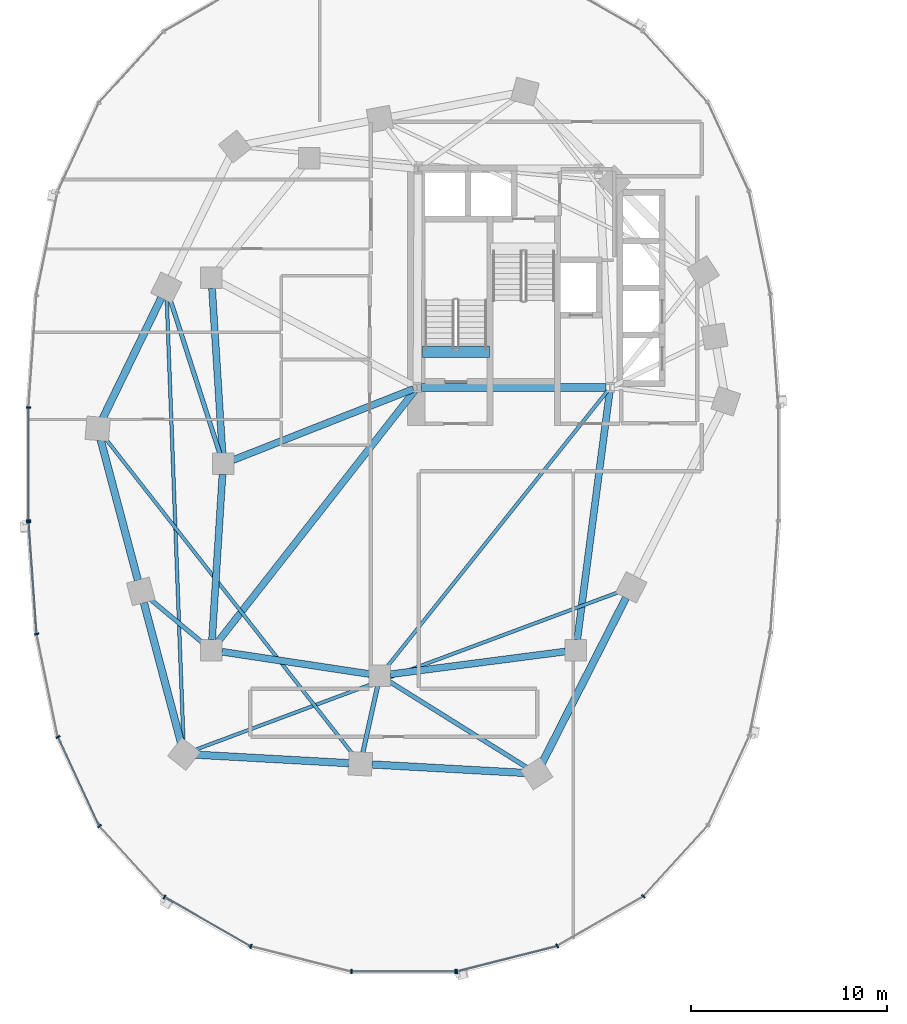
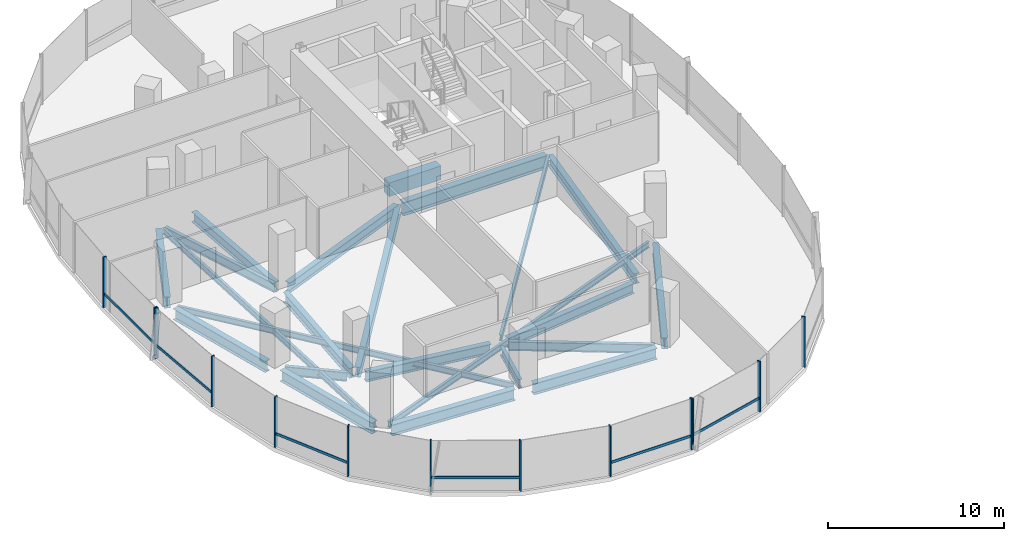
# One storey, part 2 of 21: 23 beams, 19 members, 3 elements without a shape of their own.
"""IFC4 building model written with IfcOpenShell, lengths in metres."""

from ifc_helpers import new_model, si_unit, direction, frame, origin, origin_2d, place, context, subcontext, project, spatial, rectangle, i_section, extrude, material, material_profile, profile_set, type_object, element, aggregate, save


model = new_model("IFC4")

# Units and contexts
model_context = context("Model", 3, precision=1e-05, world=origin(), true_north=direction((0.0, 1.0)))
body_context = subcontext(model_context, "Body", "Model", "MODEL_VIEW")
ifc_project = project(units=[si_unit("LENGTHUNIT", "METRE"), si_unit("AREAUNIT", "SQUARE_METRE"), si_unit("VOLUMEUNIT", "CUBIC_METRE"), si_unit("PLANEANGLEUNIT", "RADIAN"), si_unit("MASSUNIT", "GRAM", prefix="KILO"), si_unit("THERMODYNAMICTEMPERATUREUNIT", "KELVIN"), si_unit("POWERUNIT", "WATT")], contexts=[model_context])

# Site, building, storey
site_placement = place(None, origin())
site = spatial("IfcSite", under=ifc_project, at=site_placement, CompositionType="ELEMENT")
building_placement = place(site_placement, origin())
building = spatial("IfcBuilding", under=site, at=building_placement, Name="Cundina Bronze Exchange", CompositionType="ELEMENT")
storey_placement = place(building_placement, frame((0.0, 0.0, 31.60009765625)))
storey = spatial("IfcBuildingStorey", under=building, at=storey_placement, Name="L07", CompositionType="ELEMENT", Elevation=31.60009765625)

# Beams
ifc_material_1 = material(Name="Concrete C60/75", Category="concrete")
ifc_material_profile_1 = material_profile(ifc_material_1, rectangle(XDim=0.60009765625, YDim=0.949951171875, at=origin_2d()), Name="RC600X950", Category="concrete")
ifc_profile_set_1 = profile_set([ifc_material_profile_1], Name="Concrete C60/75")
beam_type_1 = type_object("IfcBeamType", Name="BM-COUP-RC950", PredefinedType="LINTEL", material=ifc_profile_set_1)
beam_1_placement = place(storey_placement, frame((-31.02001953125, 5.719970703125, -0.47509765625), z_axis=(1.0, 0.0, 0.0), x_axis=(0.0, 1.0, 0.0)))
element("IfcBeam", 1, at=beam_1_placement, inside=storey, type_object=beam_type_1, Name="L07 Stair W1 Landing Header Beam", PredefinedType="LINTEL", context=body_context, shape_type="SweptSolid", body=[
    extrude(rectangle(XDim=0.60009765625, YDim=0.949951171875, at=origin_2d()), origin(), (0.0, 0.0, 1.0), 3.39990234375),
])
ifc_material_2 = material(Name="Steel ASTM A992 Grade 50", Category="steel")
ifc_material_profile_2 = material_profile(ifc_material_2, i_section(OverallWidth=0.22998046875, OverallDepth=0.616943359375, WebThickness=0.01318359375, FlangeThickness=0.022216796875, FilletRadius=0.013916015625, at=origin_2d()), Name="W24X94", Category="steel")
ifc_profile_set_2 = profile_set([ifc_material_profile_2], Name="Steel ASTM A992 Grade 50")
beam_type_2 = type_object("IfcBeamType", Name="BM-FLR-W24B", PredefinedType="BEAM", material=ifc_profile_set_2)
beam_2_placement = place(storey_placement, frame((-41.364990234375, 0.51220703125, -0.608642578125), z_axis=(-0.306706454167, 0.951804155787, 0.0), x_axis=(-0.951804155787, -0.306706454167, 0.0)))
element("IfcBeam", 2, at=beam_2_placement, inside=storey, type_object=beam_type_2, Name="L07 Leg W Radial Floor Beam 07", PredefinedType="BEAM", context=body_context, shape_type="SweptSolid", body=[
    extrude(i_section(OverallWidth=0.22998046875, OverallDepth=0.616943359375, WebThickness=0.01318359375, FlangeThickness=0.022216796875, FilletRadius=0.013916015625, at=origin_2d()), origin(), (0.0, 0.0, 1.0), 8.329345703125),
])
beam_3_placement = place(storey_placement, frame((-42.21337890625, -9.155517578125, -0.608642578125), z_axis=(-0.768221279597, 0.640184399664, 0.0), x_axis=(-0.640184399664, -0.768221279597, 0.0)))
element("IfcBeam", 3, at=beam_3_placement, inside=storey, type_object=beam_type_2, Name="L07 Leg W Radial Floor Beam 09", PredefinedType="BEAM", context=body_context, shape_type="SweptSolid", body=[
    extrude(i_section(OverallWidth=0.22998046875, OverallDepth=0.616943359375, WebThickness=0.01318359375, FlangeThickness=0.022216796875, FilletRadius=0.013916015625, at=origin_2d()), origin(), (0.0, 0.0, 1.0), 3.56005859375),
])
beam_4_placement = place(storey_placement, frame((-33.316650390625, -11.3251953125, -0.608642578125), z_axis=(-0.216960137628, -0.976180464197, 0.0), x_axis=(0.976180464197, -0.216960137628, 0.0)))
element("IfcBeam", 4, at=beam_4_placement, inside=storey, type_object=beam_type_2, Name="L07 Leg W Radial Floor Beam 11", PredefinedType="BEAM", context=body_context, shape_type="SweptSolid", body=[
    extrude(i_section(OverallWidth=0.22998046875, OverallDepth=0.616943359375, WebThickness=0.01318359375, FlangeThickness=0.022216796875, FilletRadius=0.013916015625, at=origin_2d()), origin(), (0.0, 0.0, 1.0), 3.48388671875),
])
beam_5_placement = place(storey_placement, frame((-32.743896484375, -11.085205078125, -0.608642578125), z_axis=(0.848014812458, -0.529972525563, 0.0), x_axis=(0.529972525563, 0.848014812458, 0.0)))
element("IfcBeam", 5, at=beam_5_placement, inside=storey, type_object=beam_type_2, Name="L07 Leg W Radial Floor Beam 12", PredefinedType="BEAM", context=body_context, shape_type="SweptSolid", body=[
    extrude(i_section(OverallWidth=0.22998046875, OverallDepth=0.616943359375, WebThickness=0.01318359375, FlangeThickness=0.022216796875, FilletRadius=0.013916015625, at=origin_2d()), origin(), (0.0, 0.0, 1.0), 8.30810546875),
])
ifc_material_profile_3 = material_profile(ifc_material_2, i_section(OverallWidth=0.178955078125, OverallDepth=0.409912109375, WebThickness=0.0087890625, FlangeThickness=0.014404296875, FilletRadius=0.010986328125, at=origin_2d()), Name="W16X45", Category="steel")
ifc_profile_set_3 = profile_set([ifc_material_profile_3], Name="Steel ASTM A992 Grade 50")
beam_type_3 = type_object("IfcBeamType", Name="BM-JST-W16", PredefinedType="JOIST", material=ifc_profile_set_3)
beam_6_placement = place(storey_placement, frame((-21.577392578125, 3.740478515625, -0.505126953125), z_axis=(-0.62436887964, -0.781129632095, 0.0), x_axis=(0.781129632095, -0.62436887964, 0.0)))
element("IfcBeam", 6, at=beam_6_placement, inside=storey, type_object=beam_type_3, Name="L07 W Interior Core-to-Ring Joist 2", PredefinedType="JOIST", context=body_context, shape_type="SweptSolid", body=[
    extrude(i_section(OverallWidth=0.178955078125, OverallDepth=0.409912109375, WebThickness=0.0087890625, FlangeThickness=0.014404296875, FilletRadius=0.010986328125, at=origin_2d()), origin(), (0.0, 0.0, 1.0), 18.076904296875),
])
beam_7_placement = place(storey_placement, frame((-44.077880859375, 8.412353515625, -0.505126953125), z_axis=(0.037794949147, -0.999285515666, 0.0), x_axis=(0.999285515666, 0.037794949147, 0.0)))
element("IfcBeam", 7, at=beam_7_placement, inside=storey, type_object=beam_type_3, Name="L07 Leg W Lobe Floor Joist 07-10", PredefinedType="JOIST", context=body_context, shape_type="SweptSolid", body=[
    extrude(i_section(OverallWidth=0.178955078125, OverallDepth=0.409912109375, WebThickness=0.0087890625, FlangeThickness=0.014404296875, FilletRadius=0.010986328125, at=origin_2d()), origin(), (0.0, 0.0, 1.0), 22.640869140625),
])
beam_8_placement = place(storey_placement, frame((-47.2373046875, 1.337158203125, -0.505126953125), z_axis=(0.616803089524, -0.787117493614, 0.0), x_axis=(0.787117493614, 0.616803089524, 0.0)))
element("IfcBeam", 8, at=beam_8_placement, inside=storey, type_object=beam_type_3, Name="L07 Leg W Lobe Floor Joist 08-11", PredefinedType="JOIST", context=body_context, shape_type="SweptSolid", body=[
    extrude(i_section(OverallWidth=0.178955078125, OverallDepth=0.409912109375, WebThickness=0.0087890625, FlangeThickness=0.014404296875, FilletRadius=0.010986328125, at=origin_2d()), origin(), (0.0, 0.0, 1.0), 20.548828125),
])
beam_9_placement = place(storey_placement, frame((-42.64892578125, -14.5947265625, -0.505126953125), z_axis=(0.937127912449, 0.348986068074, 0.0), x_axis=(-0.348986068074, 0.937127912449, 0.0)))
element("IfcBeam", 9, at=beam_9_placement, inside=storey, type_object=beam_type_3, Name="L07 Leg W Lobe Floor Joist 10-13", PredefinedType="JOIST", context=body_context, shape_type="SweptSolid", body=[
    extrude(i_section(OverallWidth=0.178955078125, OverallDepth=0.409912109375, WebThickness=0.0087890625, FlangeThickness=0.014404296875, FilletRadius=0.010986328125, at=origin_2d()), origin(), (0.0, 0.0, 1.0), 23.18017578125),
])
ifc_material_profile_4 = material_profile(ifc_material_2, i_section(OverallWidth=0.35498046875, OverallDepth=0.695068359375, WebThickness=0.015380859375, FlangeThickness=0.02490234375, FilletRadius=0.01806640625, at=origin_2d()), Name="W27X146", Category="steel")
ifc_profile_set_4 = profile_set([ifc_material_profile_4], Name="Steel ASTM A992 Grade 50")
beam_type_4 = type_object("IfcBeamType", Name="BM-RING-W27", PredefinedType="USERDEFINED", material=ifc_profile_set_4)
for number, where, z_axis, x_axis, name in (
    (10, (-41.76611328125, 8.963134765625, -0.647705078125), (0.06303715519, -0.998011180832, 0.0), (0.998011180832, 0.06303715519, 0.0), "L07 W Inner Structural Ring Girder 03"),
    (11, (-41.23388671875, -0.536865234375, -0.647705078125), (-0.06303715519, -0.998011180832, 0.0), (0.998011180832, -0.06303715519, 0.0), "L07 W Inner Structural Ring Girder 04"),
):
    element("IfcBeam", number, at=place(storey_placement, frame(where, z_axis=z_axis, x_axis=x_axis)), inside=storey, type_object=beam_type_4, Name=name, ObjectType="GIRDER", PredefinedType="USERDEFINED", context=body_context, shape_type="SweptSolid", body=[
        extrude(i_section(OverallWidth=0.35498046875, OverallDepth=0.695068359375, WebThickness=0.015380859375, FlangeThickness=0.02490234375, FilletRadius=0.01806640625, at=origin_2d()), origin(), (0.0, 0.0, 1.0), 8.443115234375),
    ])
beam_10_placement = place(storey_placement, frame((-41.26806640625, -9.580322265625, -0.647705078125), z_axis=(0.988767489563, -0.149461873341, 0.0), x_axis=(0.149461873341, 0.988767489563, 0.0)))
element("IfcBeam", 12, at=beam_10_placement, inside=storey, type_object=beam_type_4, Name="L07 W Inner Structural Ring Girder 05", ObjectType="GIRDER", PredefinedType="USERDEFINED", context=body_context, shape_type="SweptSolid", body=[
    extrude(i_section(OverallWidth=0.35498046875, OverallDepth=0.695068359375, WebThickness=0.015380859375, FlangeThickness=0.02490234375, FilletRadius=0.01806640625, at=origin_2d()), origin(), (0.0, 0.0, 1.0), 7.621826171875),
])
beam_11_placement = place(storey_placement, frame((-32.66650390625, -10.730712890625, -0.647705078125), z_axis=(0.991654577907, 0.128923225666, 0.0), x_axis=(-0.128923225666, 0.991654577907, 0.0)))
element("IfcBeam", 13, at=beam_11_placement, inside=storey, type_object=beam_type_4, Name="L07 W Inner Structural Ring Girder 06", ObjectType="GIRDER", PredefinedType="USERDEFINED", context=body_context, shape_type="SweptSolid", body=[
    extrude(i_section(OverallWidth=0.35498046875, OverallDepth=0.695068359375, WebThickness=0.015380859375, FlangeThickness=0.02490234375, FilletRadius=0.01806640625, at=origin_2d()), origin(), (0.0, 0.0, 1.0), 9.00830078125),
])
beam_12_placement = place(storey_placement, frame((-23.13037109375, -8.966552734375, -0.647705078125), z_axis=(0.129507526533, 0.99157843894, 0.0), x_axis=(-0.99157843894, 0.129507526533, 0.0)))
element("IfcBeam", 14, at=beam_12_placement, inside=storey, type_object=beam_type_4, Name="L07 W Inner Structural Ring Girder 07", ObjectType="GIRDER", PredefinedType="USERDEFINED", context=body_context, shape_type="SweptSolid", body=[
    extrude(i_section(OverallWidth=0.35498046875, OverallDepth=0.695068359375, WebThickness=0.015380859375, FlangeThickness=0.02490234375, FilletRadius=0.01806640625, at=origin_2d()), origin(), (0.0, 0.0, 1.0), 12.77197265625),
])
beam_13_placement = place(storey_placement, frame((-31.48974609375, 3.8251953125, -0.647705078125), z_axis=(-0.930413235418, -0.366512225388, 0.0), x_axis=(0.366512225388, -0.930413235418, 0.0)))
element("IfcBeam", 15, at=beam_13_placement, inside=storey, type_object=beam_type_4, Name="L07 W Core-to-Waist Tie Beam 1", ObjectType="GIRDER", PredefinedType="USERDEFINED", context=body_context, shape_type="SweptSolid", body=[
    extrude(i_section(OverallWidth=0.35498046875, OverallDepth=0.695068359375, WebThickness=0.015380859375, FlangeThickness=0.02490234375, FilletRadius=0.01806640625, at=origin_2d()), origin(), (0.0, 0.0, 1.0), 9.8984375),
])
beam_14_placement = place(storey_placement, frame((-31.42578125, 3.739501953125, -0.647705078125), z_axis=(-0.616789275748, -0.787128318206, 0.0), x_axis=(0.787128318206, -0.616789275748, 0.0)))
element("IfcBeam", 16, at=beam_14_placement, inside=storey, type_object=beam_type_4, Name="L07 W Core-to-Waist Tie Beam 3", ObjectType="GIRDER", PredefinedType="USERDEFINED", context=body_context, shape_type="SweptSolid", body=[
    extrude(i_section(OverallWidth=0.35498046875, OverallDepth=0.695068359375, WebThickness=0.015380859375, FlangeThickness=0.02490234375, FilletRadius=0.01806640625, at=origin_2d()), origin(), (0.0, 0.0, 1.0), 16.281982421875),
])
ifc_material_profile_5 = material_profile(ifc_material_2, i_section(OverallWidth=0.381103515625, OverallDepth=0.77294921875, WebThickness=0.0166015625, FlangeThickness=0.027099609375, FilletRadius=0.01904296875, at=origin_2d()), Name="W30X173", Category="steel")
ifc_profile_set_5 = profile_set([ifc_material_profile_5], Name="Steel ASTM A992 Grade 50")
beam_type_5 = type_object("IfcBeamType", Name="BM-RING-W30", PredefinedType="USERDEFINED", material=ifc_profile_set_5)
beam_15_placement = place(storey_placement, frame((-44.357177734375, 8.47119140625, -0.6865234375), z_axis=(-0.437190698904, -0.899368830231, 0.0), x_axis=(0.899368830231, -0.437190698904, 0.0)))
element("IfcBeam", 17, at=beam_15_placement, inside=storey, type_object=beam_type_5, Name="L07 W Perimeter Ring Girder 07", ObjectType="GIRDER", PredefinedType="USERDEFINED", context=body_context, shape_type="SweptSolid", body=[
    extrude(i_section(OverallWidth=0.381103515625, OverallDepth=0.77294921875, WebThickness=0.0166015625, FlangeThickness=0.027099609375, FilletRadius=0.01904296875, at=origin_2d()), origin(), (0.0, 0.0, 1.0), 6.82958984375),
])
for number, where, z_axis, x_axis, name in (
    (18, (-47.44921875, 1.231689453125, -0.6865234375), (0.256177785604, -0.966629682021, 0.0), (0.966629682021, 0.256177785604, 0.0), "L07 W Perimeter Ring Girder 08"),
    (19, (-45.249267578125, -7.068359375, -0.6865234375), (0.256208567826, -0.966621523541, 0.0), (0.966621523541, 0.256208567826, 0.0), "L07 W Perimeter Ring Girder 09"),
):
    element("IfcBeam", number, at=place(storey_placement, frame(where, z_axis=z_axis, x_axis=x_axis)), inside=storey, type_object=beam_type_5, Name=name, ObjectType="GIRDER", PredefinedType="USERDEFINED", context=body_context, shape_type="SweptSolid", body=[
        extrude(i_section(OverallWidth=0.381103515625, OverallDepth=0.77294921875, WebThickness=0.0166015625, FlangeThickness=0.027099609375, FilletRadius=0.01904296875, at=origin_2d()), origin(), (0.0, 0.0, 1.0), 7.41064453125),
    ])
for number, where, z_axis, x_axis, name in (
    (20, (-42.61279296875, -14.83251953125, -0.6865234375), (0.998459969805, -0.055476920391, 0.0), (0.055476920391, 0.998459969805, 0.0), "L07 W Perimeter Ring Girder 10"),
    (21, (-33.61279296875, -15.33251953125, -0.6865234375), (0.998459969805, -0.055476920391, 0.0), (0.055476920391, 0.998459969805, 0.0), "L07 W Perimeter Ring Girder 11"),
):
    element("IfcBeam", number, at=place(storey_placement, frame(where, z_axis=z_axis, x_axis=x_axis)), inside=storey, type_object=beam_type_5, Name=name, ObjectType="GIRDER", PredefinedType="USERDEFINED", context=body_context, shape_type="SweptSolid", body=[
        extrude(i_section(OverallWidth=0.381103515625, OverallDepth=0.77294921875, WebThickness=0.0166015625, FlangeThickness=0.027099609375, FilletRadius=0.01904296875, at=origin_2d()), origin(), (0.0, 0.0, 1.0), 7.837646484375),
    ])
beam_16_placement = place(storey_placement, frame((-24.93359375, -15.275634765625, -0.6865234375), z_axis=(0.452819633606, 0.891602141889, 0.0), x_axis=(-0.891602141889, 0.452819633606, 0.0)))
element("IfcBeam", 22, at=beam_16_placement, inside=storey, type_object=beam_type_5, Name="L07 W Perimeter Ring Girder 12", ObjectType="GIRDER", PredefinedType="USERDEFINED", context=body_context, shape_type="SweptSolid", body=[
    extrude(i_section(OverallWidth=0.381103515625, OverallDepth=0.77294921875, WebThickness=0.0166015625, FlangeThickness=0.027099609375, FilletRadius=0.01904296875, at=origin_2d()), origin(), (0.0, 0.0, 1.0), 9.47900390625),
])
ifc_material_profile_6 = material_profile(ifc_material_2, i_section(OverallWidth=0.41796875, OverallDepth=0.927001953125, WebThickness=0.019287109375, FlangeThickness=0.031982421875, FilletRadius=0.02392578125, at=origin_2d()), Name="W36X231", Category="steel")
ifc_profile_set_6 = profile_set([ifc_material_profile_6], Name="Steel ASTM A992 Grade 50")
beam_type_6 = type_object("IfcBeamType", Name="BM-WRN-W36B", PredefinedType="USERDEFINED", material=ifc_profile_set_6)
beam_17_placement = place(storey_placement, frame((-31.095947265625, 3.89990234375, -0.763671875), z_axis=(1.0, 0.0, 0.0), x_axis=(0.0, 1.0, 0.0)))
element("IfcBeam", 23, at=beam_17_placement, inside=storey, type_object=beam_type_6, Name="L07 W Core Perimeter Tie Girder 1", ObjectType="GIRDER", PredefinedType="USERDEFINED", context=body_context, shape_type="SweptSolid", body=[
    extrude(i_section(OverallWidth=0.41796875, OverallDepth=0.927001953125, WebThickness=0.019287109375, FlangeThickness=0.031982421875, FilletRadius=0.02392578125, at=origin_2d()), origin(), (0.0, 0.0, 1.0), 9.44189453125),
])

# Curtain wall, members
ifc_material_3 = material(Name="Anodised Bronze Aluminium 6063-T6", Category="aluminium")
curtain_wall_type = type_object("IfcCurtainWallType", Name="CWS-TRD-LOW", PredefinedType="NOTDEFINED", material=ifc_material_3)
curtain_wall_1_placement = place(storey_placement, origin())
curtain_wall_1 = element("IfcCurtainWall", 24, at=curtain_wall_1_placement, inside=storey, type_object=curtain_wall_type, Name="L07 CW-02 Curtain Wall Run CWR-L07-W2", PredefinedType="NOTDEFINED")
ifc_material_profile_7 = material_profile(ifc_material_3, rectangle(XDim=0.074951171875, YDim=0.219970703125, at=origin_2d()), Name="AL75X220", Category="aluminium")
ifc_profile_set_7 = profile_set([ifc_material_profile_7], Name="Anodised Bronze Aluminium 6063-T6")
member_type_1 = type_object("IfcMemberType", Name="CWM-MUL-220", PredefinedType="MULLION", material=ifc_profile_set_7)
member_1_placement = place(storey_placement, frame((-51.1279296875, 2.880615234375, 0.0), z_axis=(0.0, 0.0, 1.0), x_axis=(0.0, -1.0, 0.0)))
member_1 = element("IfcMember", 25, at=member_1_placement, type_object=member_type_1, Name="CW-02 Mullion 7", PredefinedType="MULLION", context=body_context, shape_type="SweptSolid", body=[
    extrude(rectangle(XDim=0.074951171875, YDim=0.219970703125, at=origin_2d()), origin(), (0.0, 0.0, 1.0), 3.5),
])
member_2_placement = place(storey_placement, frame((-51.1279296875, -2.880615234375, 0.0), z_axis=(0.0, 0.0, 1.0), x_axis=(0.0, -1.0, 0.0)))
member_2 = element("IfcMember", 26, at=member_2_placement, type_object=member_type_1, Name="CW-02 End Mullion", PredefinedType="MULLION", context=body_context, shape_type="SweptSolid", body=[
    extrude(rectangle(XDim=0.074951171875, YDim=0.219970703125, at=origin_2d()), origin(), (0.0, 0.0, 1.0), 3.5),
])

curtain_wall_2_placement = place(storey_placement, origin())
curtain_wall_2 = element("IfcCurtainWall", 27, at=curtain_wall_2_placement, inside=storey, type_object=curtain_wall_type, Name="L07 CW-02 Curtain Wall Run CWR-L07-W3", PredefinedType="NOTDEFINED")
member_3_placement = place(storey_placement, frame((-51.12451171875, -2.976318359375, 0.0), z_axis=(0.0, 0.0, 1.0), x_axis=(0.070278787473, -0.997527389113, 0.0)))
member_3 = element("IfcMember", 28, at=member_3_placement, type_object=member_type_1, Name="CW-02 Mullion 1", PredefinedType="MULLION", context=body_context, shape_type="SweptSolid", body=[
    extrude(rectangle(XDim=0.074951171875, YDim=0.219970703125, at=origin_2d()), origin(), (0.0, 0.0, 1.0), 3.5),
])
member_4_placement = place(storey_placement, frame((-50.717041015625, -8.67822265625, 0.0), z_axis=(0.0, 0.0, 1.0), x_axis=(0.201419845156, -0.979505000486, 0.0)))
member_4 = element("IfcMember", 29, at=member_4_placement, type_object=member_type_1, Name="CW-02 Mullion 2", PredefinedType="MULLION", context=body_context, shape_type="SweptSolid", body=[
    extrude(rectangle(XDim=0.074951171875, YDim=0.219970703125, at=origin_2d()), origin(), (0.0, 0.0, 1.0), 3.5),
])
member_5_placement = place(storey_placement, frame((-49.6279296875, -13.931884765625, 0.0), z_axis=(0.0, 0.0, 1.0), x_axis=(0.42087749791, -0.907117485088, 0.0)))
member_5 = element("IfcMember", 30, at=member_5_placement, type_object=member_type_1, Name="CW-02 Mullion 3", PredefinedType="MULLION", context=body_context, shape_type="SweptSolid", body=[
    extrude(rectangle(XDim=0.074951171875, YDim=0.219970703125, at=origin_2d()), origin(), (0.0, 0.0, 1.0), 3.5),
])
member_6_placement = place(storey_placement, frame((-47.508544921875, -18.47705078125, 0.0), z_axis=(0.0, 0.0, 1.0), x_axis=(0.674302387584, -0.738455340626, 0.0)))
member_6 = element("IfcMember", 31, at=member_6_placement, type_object=member_type_1, Name="CW-02 Mullion 4", PredefinedType="MULLION", context=body_context, shape_type="SweptSolid", body=[
    extrude(rectangle(XDim=0.074951171875, YDim=0.219970703125, at=origin_2d()), origin(), (0.0, 0.0, 1.0), 3.5),
])
member_7_placement = place(storey_placement, frame((-44.189697265625, -22.097412109375, 0.0), z_axis=(0.0, 0.0, 1.0), x_axis=(0.867070701164, -0.498185105339, 0.0)))
member_7 = element("IfcMember", 32, at=member_7_placement, type_object=member_type_1, Name="CW-02 Mullion 5", PredefinedType="MULLION", context=body_context, shape_type="SweptSolid", body=[
    extrude(rectangle(XDim=0.074951171875, YDim=0.219970703125, at=origin_2d()), origin(), (0.0, 0.0, 1.0), 3.5),
])
member_8_placement = place(storey_placement, frame((-39.78515625, -24.61669921875, 0.0), z_axis=(0.0, 0.0, 1.0), x_axis=(0.969488149345, -0.245138182011, 0.0)))
member_8 = element("IfcMember", 33, at=member_8_placement, type_object=member_type_1, Name="CW-02 Mullion 6", PredefinedType="MULLION", context=body_context, shape_type="SweptSolid", body=[
    extrude(rectangle(XDim=0.074951171875, YDim=0.219970703125, at=origin_2d()), origin(), (0.0, 0.0, 1.0), 3.5),
])
member_9_placement = place(storey_placement, frame((-34.654541015625, -25.905029296875, 0.0), z_axis=(0.0, 0.0, 1.0), x_axis=(1.0, 0.0, 0.0)))
member_9 = element("IfcMember", 34, at=member_9_placement, type_object=member_type_1, Name="CW-02 Mullion 7", PredefinedType="MULLION", context=body_context, shape_type="SweptSolid", body=[
    extrude(rectangle(XDim=0.074951171875, YDim=0.219970703125, at=origin_2d()), origin(), (0.0, 0.0, 1.0), 3.5),
])
member_10_placement = place(storey_placement, frame((-29.345458984375, -25.905029296875, 0.0), z_axis=(0.0, 0.0, 1.0), x_axis=(1.0, 0.0, 0.0)))
member_10 = element("IfcMember", 35, at=member_10_placement, type_object=member_type_1, Name="CW-02 End Mullion", PredefinedType="MULLION", context=body_context, shape_type="SweptSolid", body=[
    extrude(rectangle(XDim=0.074951171875, YDim=0.219970703125, at=origin_2d()), origin(), (0.0, 0.0, 1.0), 3.5),
])

curtain_wall_3_placement = place(storey_placement, origin())
curtain_wall_3 = element("IfcCurtainWall", 36, at=curtain_wall_3_placement, inside=storey, type_object=curtain_wall_type, Name="L07 CW-02 Curtain Wall Run CWR-L07-W4", PredefinedType="NOTDEFINED")
member_11_placement = place(storey_placement, frame((-29.27392578125, -25.89599609375, 0.0), z_axis=(0.0, 0.0, 1.0), x_axis=(0.969488149345, 0.245138182011, 0.0)))
member_11 = element("IfcMember", 37, at=member_11_placement, type_object=member_type_1, Name="CW-02 Mullion 1", PredefinedType="MULLION", context=body_context, shape_type="SweptSolid", body=[
    extrude(rectangle(XDim=0.074951171875, YDim=0.219970703125, at=origin_2d()), origin(), (0.0, 0.0, 1.0), 3.5),
])
member_12_placement = place(storey_placement, frame((-24.151123046875, -24.591064453125, 0.0), z_axis=(0.0, 0.0, 1.0), x_axis=(0.867070701164, 0.498185105339, 0.0)))
member_12 = element("IfcMember", 38, at=member_12_placement, type_object=member_type_1, Name="CW-02 Mullion 2", PredefinedType="MULLION", context=body_context, shape_type="SweptSolid", body=[
    extrude(rectangle(XDim=0.074951171875, YDim=0.219970703125, at=origin_2d()), origin(), (0.0, 0.0, 1.0), 3.5),
])
member_13_placement = place(storey_placement, frame((-19.760498046875, -22.0576171875, 0.0), z_axis=(0.0, 0.0, 1.0), x_axis=(0.674302387584, 0.738455340626, 0.0)))
member_13 = element("IfcMember", 39, at=member_13_placement, type_object=member_type_1, Name="CW-02 Mullion 3", PredefinedType="MULLION", context=body_context, shape_type="SweptSolid", body=[
    extrude(rectangle(XDim=0.074951171875, YDim=0.219970703125, at=origin_2d()), origin(), (0.0, 0.0, 1.0), 3.5),
])

# Member
ifc_material_profile_8 = material_profile(ifc_material_3, rectangle(XDim=0.070068359375, YDim=0.179931640625, at=origin_2d()), Name="AL70X180", Category="aluminium")
ifc_profile_set_8 = profile_set([ifc_material_profile_8], Name="Anodised Bronze Aluminium 6063-T6")
member_type_2 = type_object("IfcMemberType", Name="CWM-TRN-180", PredefinedType="USERDEFINED", material=ifc_profile_set_8)
member_14_placement = place(storey_placement, frame((-51.1279296875, 2.839111328125, 0.919921875), z_axis=(0.0, -1.0, 0.0), x_axis=(1.0, 0.0, 0.0)))
member_14 = element("IfcMember", 40, at=member_14_placement, type_object=member_type_2, Name="CW-02 Spandrel Transom 7", ObjectType="TRANSOM", PredefinedType="USERDEFINED", context=body_context, shape_type="SweptSolid", body=[
    extrude(rectangle(XDim=0.070068359375, YDim=0.179931640625, at=origin_2d()), origin(), (0.0, 0.0, 1.0), 5.67822265625),
])

aggregate(curtain_wall_1, [member_1, member_2, member_14])

member_15_placement = place(storey_placement, frame((-51.12158203125, -3.017333984375, 0.919921875), z_axis=(0.070260714471, -0.997528662246, 0.0), x_axis=(0.997528662246, 0.070260714471, 0.0)))
member_15 = element("IfcMember", 41, at=member_15_placement, type_object=member_type_2, Name="CW-02 Spandrel Transom 1", ObjectType="TRANSOM", PredefinedType="USERDEFINED", context=body_context, shape_type="SweptSolid", body=[
    extrude(rectangle(XDim=0.070068359375, YDim=0.179931640625, at=origin_2d()), origin(), (0.0, 0.0, 1.0), 5.629150390625),
])

member_16_placement = place(storey_placement, frame((-49.610595703125, -13.96923828125, 0.919921875), z_axis=(0.420811422796, -0.907148139195, 0.0), x_axis=(0.907148139195, 0.420811422796, 0.0)))
member_16 = element("IfcMember", 42, at=member_16_placement, type_object=member_type_2, Name="CW-02 Spandrel Transom 3", ObjectType="TRANSOM", PredefinedType="USERDEFINED", context=body_context, shape_type="SweptSolid", body=[
    extrude(rectangle(XDim=0.070068359375, YDim=0.179931640625, at=origin_2d()), origin(), (0.0, 0.0, 1.0), 4.95166015625),
])

member_17_placement = place(storey_placement, frame((-44.154052734375, -22.117919921875, 0.919921875), z_axis=(0.867097475651, -0.498138502546, 0.0), x_axis=(0.498138502546, 0.867097475651, 0.0)))
member_17 = element("IfcMember", 43, at=member_17_placement, type_object=member_type_2, Name="CW-02 Spandrel Transom 5", ObjectType="TRANSOM", PredefinedType="USERDEFINED", context=body_context, shape_type="SweptSolid", body=[
    extrude(rectangle(XDim=0.070068359375, YDim=0.179931640625, at=origin_2d()), origin(), (0.0, 0.0, 1.0), 5.00634765625),
])

member_18_placement = place(storey_placement, frame((-34.61328125, -25.905029296875, 0.919921875), z_axis=(1.0, 0.0, 0.0), x_axis=(0.0, 1.0, 0.0)))
member_18 = element("IfcMember", 44, at=member_18_placement, type_object=member_type_2, Name="CW-02 Spandrel Transom 7", ObjectType="TRANSOM", PredefinedType="USERDEFINED", context=body_context, shape_type="SweptSolid", body=[
    extrude(rectangle(XDim=0.070068359375, YDim=0.179931640625, at=origin_2d()), origin(), (0.0, 0.0, 1.0), 5.2265625),
])

aggregate(curtain_wall_2, [member_3, member_15, member_4, member_5, member_16, member_6, member_7, member_17, member_8, member_9, member_10, member_18])

member_19_placement = place(storey_placement, frame((-29.23388671875, -25.885986328125, 0.919921875), z_axis=(0.969483968866, 0.245154714644, 0.0), x_axis=(-0.245154714644, 0.969483968866, 0.0)))
member_19 = element("IfcMember", 45, at=member_19_placement, type_object=member_type_2, Name="CW-02 Spandrel Transom 1", ObjectType="TRANSOM", PredefinedType="USERDEFINED", context=body_context, shape_type="SweptSolid", body=[
    extrude(rectangle(XDim=0.070068359375, YDim=0.179931640625, at=origin_2d()), origin(), (0.0, 0.0, 1.0), 5.21826171875),
])

aggregate(curtain_wall_3, [member_11, member_19, member_12, member_13])

save(model, "model.ifc")
